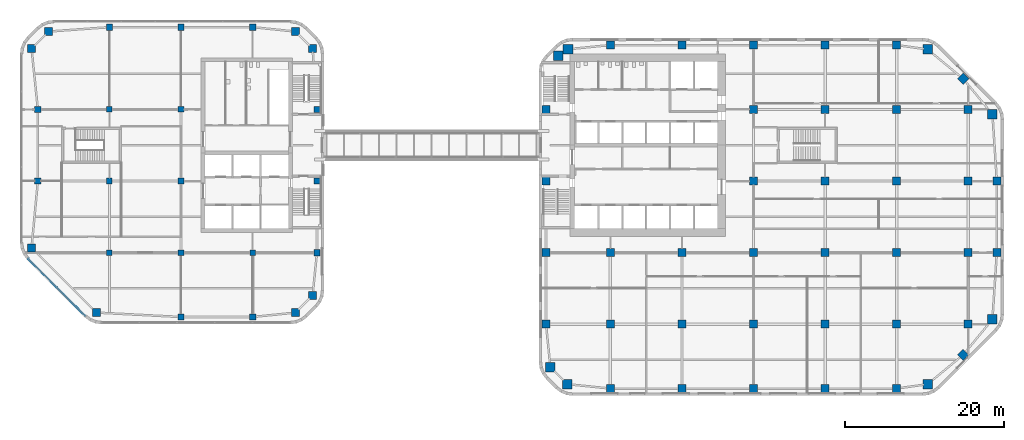
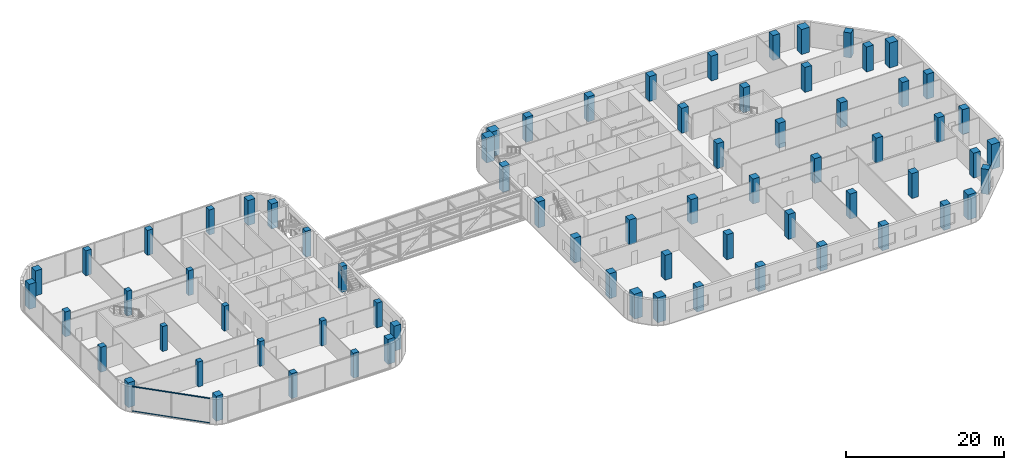
# One storey, part 1 of 24: 71 columns, 4 members, 1 element without a shape of its own.
"""IFC4 building model written with IfcOpenShell, lengths in metres."""

from ifc_helpers import new_model, si_unit, direction, frame, origin, origin_2d, place, context, subcontext, project, spatial, rectangle, extrude, material, material_profile, profile_set, type_object, element, aggregate, save


model = new_model("IFC4")

# Units and contexts
model_context = context("Model", 3, precision=1e-05, world=origin(), true_north=direction((0.0, 1.0)))
body_context = subcontext(model_context, "Body", "Model", "MODEL_VIEW")
ifc_project = project(units=[si_unit("LENGTHUNIT", "METRE"), si_unit("AREAUNIT", "SQUARE_METRE"), si_unit("VOLUMEUNIT", "CUBIC_METRE"), si_unit("PLANEANGLEUNIT", "RADIAN"), si_unit("MASSUNIT", "GRAM", prefix="KILO")], contexts=[model_context])

# Site, building, storey
site_placement = place(None, origin())
site = spatial("IfcSite", under=ifc_project, at=site_placement, CompositionType="ELEMENT")
building_placement = place(site_placement, origin())
building = spatial("IfcBuilding", under=site, at=building_placement, Name="Cinnabar Reach Civic Tower", CompositionType="ELEMENT")
storey_placement = place(building_placement, frame((0.0, 0.0, 71.0)))
storey = spatial("IfcBuildingStorey", under=building, at=storey_placement, Name="L16", CompositionType="ELEMENT", Elevation=71.0)

# Columns
ifc_material_1 = material(Name="Concrete C70", Category="concrete")
ifc_material_profile_1 = material_profile(ifc_material_1, rectangle(XDim=1.0, YDim=1.0, at=origin_2d()), Name="RC1000")
ifc_profile_set_1 = profile_set([ifc_material_profile_1], Name="Concrete C70")
column_type_1 = type_object("IfcColumnType", Name="RC1000 column R 180", PredefinedType="COLUMN", material=ifc_profile_set_1)
for number, where, z_axis, x_axis, name in (
    (1, (-55.6481, 10.4531, 0.0), (0.0, 0.0, 1.0), (1.0, 0.0, 0.0), "Column T2-Z2-CC0"),
    (2, (-30.6019, 10.4531, 0.0), (0.0, 0.0, 1.0), (1.0, 0.0, 0.0), "Column T2-Z2-CC1"),
    (3, (-28.4531, 12.6019, 0.0), (0.0, 0.0, 1.0), (1.0, 0.0, 0.0), "Column T2-Z2-CC2"),
    (4, (-28.4531, 43.6481, 0.0), (0.0, 0.0, 1.0), (1.0, 0.0, 0.0), "Column T2-Z2-CC3"),
    (5, (-30.6019, 45.7969, 0.0), (0.0, 0.0, 1.0), (1.0, 0.0, 0.0), "Column T2-Z2-CC4"),
    (6, (-61.6481, 45.7969, 0.0), (0.0, 0.0, 1.0), (1.0, 0.0, 0.0), "Column T2-Z2-CC5"),
    (7, (-63.7969, 43.6481, 0.0), (0.0, 0.0, 1.0), (1.0, 0.0, 0.0), "Column T2-Z2-CC6"),
    (8, (-63.7969, 18.6019, 0.0), (0.0, 0.0, 1.0), (1.0, 0.0, 0.0), "Column T2-Z2-CC7"),
):
    element("IfcColumn", number, at=place(storey_placement, frame(where, z_axis=z_axis, x_axis=x_axis)), inside=storey, type_object=column_type_1, Name=name, PredefinedType="COLUMN", context=body_context, shape_type="SweptSolid", body=[
        extrude(rectangle(XDim=1.0, YDim=1.0, at=origin_2d()), origin(), (0.0, 0.0, 1.0), 3.85),
    ])
ifc_material_profile_2 = material_profile(ifc_material_1, rectangle(XDim=1.0, YDim=1.0, at=origin_2d()), Name="RC1000")
ifc_profile_set_2 = profile_set([ifc_material_profile_2], Name="Concrete C70")
column_type_2 = type_object("IfcColumnType", Name="RC1000 column R 240", PredefinedType="COLUMN", material=ifc_profile_set_2)
for number, where, z_axis, x_axis, name in (
    (9, (9.0, 0.9, 0.0), (0.0, 0.0, 1.0), (1.0, 0.0, 0.0), "Column T1-Z1-F0-1"),
    (10, (18.0, 0.9, 0.0), (0.0, 0.0, 1.0), (1.0, 0.0, 0.0), "Column T1-Z1-F0-2"),
    (11, (27.0, 0.9, 0.0), (0.0, 0.0, 1.0), (1.0, 0.0, 0.0), "Column T1-Z1-F0-3"),
    (12, (36.0, 0.9, 0.0), (0.0, 0.0, 1.0), (1.0, 0.0, 0.0), "Column T1-Z1-F0-4"),
    (13, (45.0, 0.9, 0.0), (0.0, 0.0, 1.0), (1.0, 0.0, 0.0), "Column T1-Z1-F0-5"),
    (14, (53.3636, 5.1364, 0.0), (0.0, 0.0, 1.0), (0.707106781187, 0.707106781187, 0.0), "Column T1-Z1-F1-M"),
    (15, (57.6, 18.0, 0.0), (0.0, 0.0, 1.0), (1.0, 0.0, 0.0), "Column T1-Z1-F2-2"),
    (16, (57.6, 27.0, 0.0), (0.0, 0.0, 1.0), (1.0, 0.0, 0.0), "Column T1-Z1-F2-3"),
    (17, (53.3636, 39.8636, 0.0), (0.0, 0.0, 1.0), (0.707106781187, 0.707106781187, 0.0), "Column T1-Z1-F3-M"),
    (18, (9.0, 44.1, 0.0), (0.0, 0.0, 1.0), (1.0, 0.0, 0.0), "Column T1-Z1-F4-1"),
    (19, (18.0, 44.1, 0.0), (0.0, 0.0, 1.0), (1.0, 0.0, 0.0), "Column T1-Z1-F4-2"),
    (20, (27.0, 44.1, 0.0), (0.0, 0.0, 1.0), (1.0, 0.0, 0.0), "Column T1-Z1-F4-3"),
    (21, (36.0, 44.1, 0.0), (0.0, 0.0, 1.0), (1.0, 0.0, 0.0), "Column T1-Z1-F4-4"),
    (22, (45.0, 44.1, 0.0), (0.0, 0.0, 1.0), (1.0, 0.0, 0.0), "Column T1-Z1-F4-5"),
    (23, (0.9, 9.0, 0.0), (0.0, 0.0, 1.0), (1.0, 0.0, 0.0), "Column T1-Z1-F6-1"),
    (24, (0.9, 18.0, 0.0), (0.0, 0.0, 1.0), (1.0, 0.0, 0.0), "Column T1-Z1-F6-2"),
):
    element("IfcColumn", number, at=place(storey_placement, frame(where, z_axis=z_axis, x_axis=x_axis)), inside=storey, type_object=column_type_2, Name=name, PredefinedType="COLUMN", context=body_context, shape_type="SweptSolid", body=[
        extrude(rectangle(XDim=1.0, YDim=1.0, at=origin_2d()), origin(), (0.0, 0.0, 1.0), 3.85),
    ])
for number, where, z_axis, x_axis, name in (
    (25, (0.9, 27.0, 0.0), (0.0, 0.0, 1.0), (1.0, 0.0, 0.0), "Column T1-Z1-F6-3"),
    (26, (0.9, 36.0, 0.0), (0.0, 0.0, 1.0), (1.0, 0.0, 0.0), "Column T1-Z1-F6-4"),
):
    element("IfcColumn", number, at=place(storey_placement, frame(where, z_axis=z_axis, x_axis=x_axis)), inside=storey, type_object=column_type_2, Name=name, PredefinedType="COLUMN", context=body_context, shape_type="SweptSolid", body=[
        extrude(rectangle(XDim=1.0, YDim=1.0, at=origin_2d()), origin(), (0.0, 0.0, 1.0), 4.0),
    ])
for number, where, z_axis, x_axis, name in (
    (27, (9.0, 9.0, 0.0), (0.0, 0.0, 1.0), (1.0, 0.0, 0.0), "Column T1-Z1-I9_9"),
    (28, (9.0, 18.0, 0.0), (0.0, 0.0, 1.0), (1.0, 0.0, 0.0), "Column T1-Z1-I9_18"),
    (29, (18.0, 9.0, 0.0), (0.0, 0.0, 1.0), (1.0, 0.0, 0.0), "Column T1-Z1-I18_9"),
    (30, (18.0, 18.0, 0.0), (0.0, 0.0, 1.0), (1.0, 0.0, 0.0), "Column T1-Z1-I18_18"),
    (31, (27.0, 9.0, 0.0), (0.0, 0.0, 1.0), (1.0, 0.0, 0.0), "Column T1-Z1-I27_9"),
    (32, (27.0, 18.0, 0.0), (0.0, 0.0, 1.0), (1.0, 0.0, 0.0), "Column T1-Z1-I27_18"),
    (33, (27.0, 27.0, 0.0), (0.0, 0.0, 1.0), (1.0, 0.0, 0.0), "Column T1-Z1-I27_27"),
    (34, (27.0, 36.0, 0.0), (0.0, 0.0, 1.0), (1.0, 0.0, 0.0), "Column T1-Z1-I27_36"),
    (35, (36.0, 9.0, 0.0), (0.0, 0.0, 1.0), (1.0, 0.0, 0.0), "Column T1-Z1-I36_9"),
    (36, (36.0, 18.0, 0.0), (0.0, 0.0, 1.0), (1.0, 0.0, 0.0), "Column T1-Z1-I36_18"),
    (37, (36.0, 27.0, 0.0), (0.0, 0.0, 1.0), (1.0, 0.0, 0.0), "Column T1-Z1-I36_27"),
    (38, (36.0, 36.0, 0.0), (0.0, 0.0, 1.0), (1.0, 0.0, 0.0), "Column T1-Z1-I36_36"),
    (39, (45.0, 9.0, 0.0), (0.0, 0.0, 1.0), (1.0, 0.0, 0.0), "Column T1-Z1-I45_9"),
    (40, (45.0, 18.0, 0.0), (0.0, 0.0, 1.0), (1.0, 0.0, 0.0), "Column T1-Z1-I45_18"),
    (41, (45.0, 27.0, 0.0), (0.0, 0.0, 1.0), (1.0, 0.0, 0.0), "Column T1-Z1-I45_27"),
    (42, (45.0, 36.0, 0.0), (0.0, 0.0, 1.0), (1.0, 0.0, 0.0), "Column T1-Z1-I45_36"),
    (43, (54.0, 9.0, 0.0), (0.0, 0.0, 1.0), (1.0, 0.0, 0.0), "Column T1-Z1-I54_9"),
    (44, (54.0, 18.0, 0.0), (0.0, 0.0, 1.0), (1.0, 0.0, 0.0), "Column T1-Z1-I54_18"),
    (45, (54.0, 27.0, 0.0), (0.0, 0.0, 1.0), (1.0, 0.0, 0.0), "Column T1-Z1-I54_27"),
    (46, (54.0, 36.0, 0.0), (0.0, 0.0, 1.0), (1.0, 0.0, 0.0), "Column T1-Z1-I54_36"),
):
    element("IfcColumn", number, at=place(storey_placement, frame(where, z_axis=z_axis, x_axis=x_axis)), inside=storey, type_object=column_type_2, Name=name, PredefinedType="COLUMN", context=body_context, shape_type="SweptSolid", body=[
        extrude(rectangle(XDim=1.0, YDim=1.0, at=origin_2d()), origin(), (0.0, 0.0, 1.0), 3.85),
    ])
ifc_material_2 = material(Name="Concrete C80", Category="concrete")
ifc_material_profile_3 = material_profile(ifc_material_2, rectangle(XDim=1.2, YDim=1.2, at=origin_2d()), Name="RC1200")
ifc_profile_set_3 = profile_set([ifc_material_profile_3], Name="Concrete C80")
column_type_3 = type_object("IfcColumnType", Name="RC1200 column R 240", PredefinedType="COLUMN", material=ifc_profile_set_3)
for number, where, z_axis, x_axis, name in (
    (47, (3.6019, 1.4531, 0.0), (0.0, 0.0, 1.0), (1.0, 0.0, 0.0), "Column T1-Z1-CC0"),
    (48, (48.8981, 1.4531, 0.0), (0.0, 0.0, 1.0), (1.0, 0.0, 0.0), "Column T1-Z1-CC1"),
    (49, (57.0469, 9.6019, 0.0), (0.0, 0.0, 1.0), (1.0, 0.0, 0.0), "Column T1-Z1-CC2"),
    (50, (57.0469, 35.3981, 0.0), (0.0, 0.0, 1.0), (1.0, 0.0, 0.0), "Column T1-Z1-CC3"),
    (51, (48.8981, 43.5469, 0.0), (0.0, 0.0, 1.0), (1.0, 0.0, 0.0), "Column T1-Z1-CC4"),
    (52, (3.6666, 43.5737, 0.0), (0.0, 0.0, 1.0), (1.0, 0.0, 0.0), "Column T1-Z1-CC5"),
    (53, (2.4631, 42.75, 0.0), (0.0, 0.0, 1.0), (1.0, 0.0, 0.0), "Column T1-Z1-CC6"),
    (54, (1.4531, 3.6019, 0.0), (0.0, 0.0, 1.0), (1.0, 0.0, 0.0), "Column T1-Z1-CC7"),
):
    element("IfcColumn", number, at=place(storey_placement, frame(where, z_axis=z_axis, x_axis=x_axis)), inside=storey, type_object=column_type_3, Name=name, PredefinedType="COLUMN", context=body_context, shape_type="SweptSolid", body=[
        extrude(rectangle(XDim=1.2, YDim=1.2, at=origin_2d()), origin(), (0.0, 0.0, 1.0), 3.85),
    ])
ifc_material_3 = material(Name="Concrete C60", Category="concrete")
ifc_material_profile_4 = material_profile(ifc_material_3, rectangle(XDim=0.7, YDim=0.7, at=origin_2d()), Name="RC700")
ifc_profile_set_4 = profile_set([ifc_material_profile_4], Name="Concrete C60")
column_type_4 = type_object("IfcColumnType", Name="RC700 column R 180", PredefinedType="COLUMN", material=ifc_profile_set_4)
for number, where, z_axis, x_axis, name in (
    (55, (-54.0, 18.0, 0.0), (0.0, 0.0, 1.0), (1.0, 0.0, 0.0), "Column T2-Z2-I-54_18"),
    (56, (-54.0, 27.0, 0.0), (0.0, 0.0, 1.0), (1.0, 0.0, 0.0), "Column T2-Z2-I-54_27"),
    (57, (-54.0, 36.0, 0.0), (0.0, 0.0, 1.0), (1.0, 0.0, 0.0), "Column T2-Z2-I-54_36"),
    (58, (-45.0, 18.0, 0.0), (0.0, 0.0, 1.0), (1.0, 0.0, 0.0), "Column T2-Z2-I-45_18"),
    (59, (-45.0, 27.0, 0.0), (0.0, 0.0, 1.0), (1.0, 0.0, 0.0), "Column T2-Z2-I-45_27"),
    (60, (-45.0, 36.0, 0.0), (0.0, 0.0, 1.0), (1.0, 0.0, 0.0), "Column T2-Z2-I-45_36"),
    (61, (-36.0, 18.0, 0.0), (0.0, 0.0, 1.0), (1.0, 0.0, 0.0), "Column T2-Z2-I-36_18"),
):
    element("IfcColumn", number, at=place(storey_placement, frame(where, z_axis=z_axis, x_axis=x_axis)), inside=storey, type_object=column_type_4, Name=name, PredefinedType="COLUMN", context=body_context, shape_type="SweptSolid", body=[
        extrude(rectangle(XDim=0.7, YDim=0.7, at=origin_2d()), origin(), (0.0, 0.0, 1.0), 3.85),
    ])
ifc_material_profile_5 = material_profile(ifc_material_3, rectangle(XDim=0.8, YDim=0.8, at=origin_2d()), Name="RC800")
ifc_profile_set_5 = profile_set([ifc_material_profile_5], Name="Concrete C60")
column_type_5 = type_object("IfcColumnType", Name="RC800 column R 180", PredefinedType="COLUMN", material=ifc_profile_set_5)
for number, where, z_axis, x_axis, name in (
    (62, (-45.0, 9.9, 0.0), (0.0, 0.0, 1.0), (1.0, 0.0, 0.0), "Column T2-Z2-F0--5"),
    (63, (-36.0, 9.9, 0.0), (0.0, 0.0, 1.0), (1.0, 0.0, 0.0), "Column T2-Z2-F0--4"),
    (64, (-27.9, 18.0, 0.0), (0.0, 0.0, 1.0), (1.0, 0.0, 0.0), "Column T2-Z2-F2-2"),
):
    element("IfcColumn", number, at=place(storey_placement, frame(where, z_axis=z_axis, x_axis=x_axis)), inside=storey, type_object=column_type_5, Name=name, PredefinedType="COLUMN", context=body_context, shape_type="SweptSolid", body=[
        extrude(rectangle(XDim=0.8, YDim=0.8, at=origin_2d()), origin(), (0.0, 0.0, 1.0), 3.85),
    ])
for number, where, z_axis, x_axis, name in (
    (65, (-27.9, 27.0, 0.0), (0.0, 0.0, 1.0), (1.0, 0.0, 0.0), "Column T2-Z2-F2-3"),
    (66, (-27.9, 36.0, 0.0), (0.0, 0.0, 1.0), (1.0, 0.0, 0.0), "Column T2-Z2-F2-4"),
):
    element("IfcColumn", number, at=place(storey_placement, frame(where, z_axis=z_axis, x_axis=x_axis)), inside=storey, type_object=column_type_5, Name=name, PredefinedType="COLUMN", context=body_context, shape_type="SweptSolid", body=[
        extrude(rectangle(XDim=0.8, YDim=0.8, at=origin_2d()), origin(), (0.0, 0.0, 1.0), 4.0),
    ])
for number, where, z_axis, x_axis, name in (
    (67, (-54.0, 46.35, 0.0), (0.0, 0.0, 1.0), (1.0, 0.0, 0.0), "Column T2-Z2-F4--6"),
    (68, (-45.0, 46.35, 0.0), (0.0, 0.0, 1.0), (1.0, 0.0, 0.0), "Column T2-Z2-F4--5"),
    (69, (-36.0, 46.35, 0.0), (0.0, 0.0, 1.0), (1.0, 0.0, 0.0), "Column T2-Z2-F4--4"),
    (70, (-63.0, 27.0, 0.0), (0.0, 0.0, 1.0), (1.0, 0.0, 0.0), "Column T2-Z2-F6-3"),
    (71, (-63.0, 36.0, 0.0), (0.0, 0.0, 1.0), (1.0, 0.0, 0.0), "Column T2-Z2-F6-4"),
):
    element("IfcColumn", number, at=place(storey_placement, frame(where, z_axis=z_axis, x_axis=x_axis)), inside=storey, type_object=column_type_5, Name=name, PredefinedType="COLUMN", context=body_context, shape_type="SweptSolid", body=[
        extrude(rectangle(XDim=0.8, YDim=0.8, at=origin_2d()), origin(), (0.0, 0.0, 1.0), 3.85),
    ])

# Curtain wall, members
ifc_material_4 = material(Name="Aluminium and clear double glazing", Category="aluminium")
curtain_wall_type = type_object("IfcCurtainWallType", Name="Tower 2 sky lobby and amenity curtain wall", PredefinedType="NOTDEFINED", material=ifc_material_4)
curtain_wall_placement = place(storey_placement, origin())
curtain_wall = element("IfcCurtainWall", 72, at=curtain_wall_placement, inside=storey, type_object=curtain_wall_type, Name="Tower 2 sky lobby and amenity 4", PredefinedType="NOTDEFINED")
ifc_material_5 = material(Name="Aluminium", Category="aluminium")
ifc_material_profile_6 = material_profile(ifc_material_5, rectangle(XDim=0.06, YDim=0.12, at=origin_2d()), Name="Tower 2 sky lobby and amenity transom")
ifc_profile_set_6 = profile_set([ifc_material_profile_6], Name="Aluminium")
member_type = type_object("IfcMemberType", Name="Tower 2 sky lobby and amenity transom", PredefinedType="USERDEFINED", material=ifc_profile_set_6)
member_1_placement = place(storey_placement, frame((-64.2016, 17.2062, 0.03), z_axis=(0.707106781187, -0.707106781187, 0.0), x_axis=(0.707106781187, 0.707106781187, 0.0)))
member_1 = element("IfcMember", 73, at=member_1_placement, type_object=member_type, Name="CW-T2SKY-4 transom 1.1", ObjectType="TRANSOM", PredefinedType="USERDEFINED", context=body_context, shape_type="SweptSolid", body=[
    extrude(rectangle(XDim=0.06, YDim=0.12, at=origin_2d()), origin(), (0.0, 0.0, 1.0), 5.0313),
])
member_2_placement = place(storey_placement, frame((-64.2016, 17.2062, 3.82), z_axis=(0.707106781187, -0.707106781187, 0.0), x_axis=(0.707106781187, 0.707106781187, 0.0)))
member_2 = element("IfcMember", 74, at=member_2_placement, type_object=member_type, Name="CW-T2SKY-4 transom 1.2", ObjectType="TRANSOM", PredefinedType="USERDEFINED", context=body_context, shape_type="SweptSolid", body=[
    extrude(rectangle(XDim=0.06, YDim=0.12, at=origin_2d()), origin(), (0.0, 0.0, 1.0), 5.0313),
])
member_3_placement = place(storey_placement, frame((-60.6015, 13.6061, 0.03), z_axis=(0.707106781187, -0.707106781187, 0.0), x_axis=(0.707106781187, 0.707106781187, 0.0)))
member_3 = element("IfcMember", 75, at=member_3_placement, type_object=member_type, Name="CW-T2SKY-4 transom 2.1", ObjectType="TRANSOM", PredefinedType="USERDEFINED", context=body_context, shape_type="SweptSolid", body=[
    extrude(rectangle(XDim=0.06, YDim=0.12, at=origin_2d()), origin(), (0.0, 0.0, 1.0), 5.0313),
])
member_4_placement = place(storey_placement, frame((-60.6015, 13.6061, 3.82), z_axis=(0.707106781187, -0.707106781187, 0.0), x_axis=(0.707106781187, 0.707106781187, 0.0)))
member_4 = element("IfcMember", 76, at=member_4_placement, type_object=member_type, Name="CW-T2SKY-4 transom 2.2", ObjectType="TRANSOM", PredefinedType="USERDEFINED", context=body_context, shape_type="SweptSolid", body=[
    extrude(rectangle(XDim=0.06, YDim=0.12, at=origin_2d()), origin(), (0.0, 0.0, 1.0), 5.0313),
])
aggregate(curtain_wall, [member_1, member_2, member_3, member_4])

save(model, "model.ifc")
